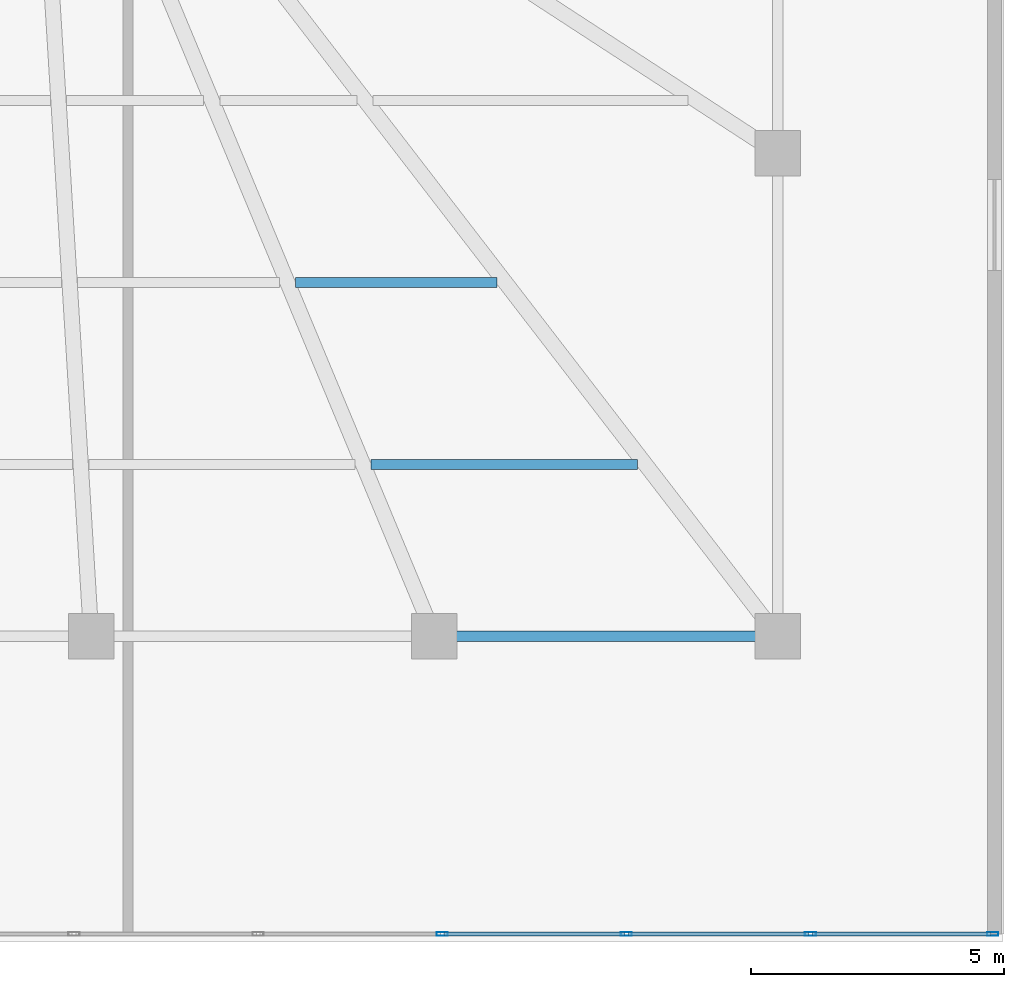
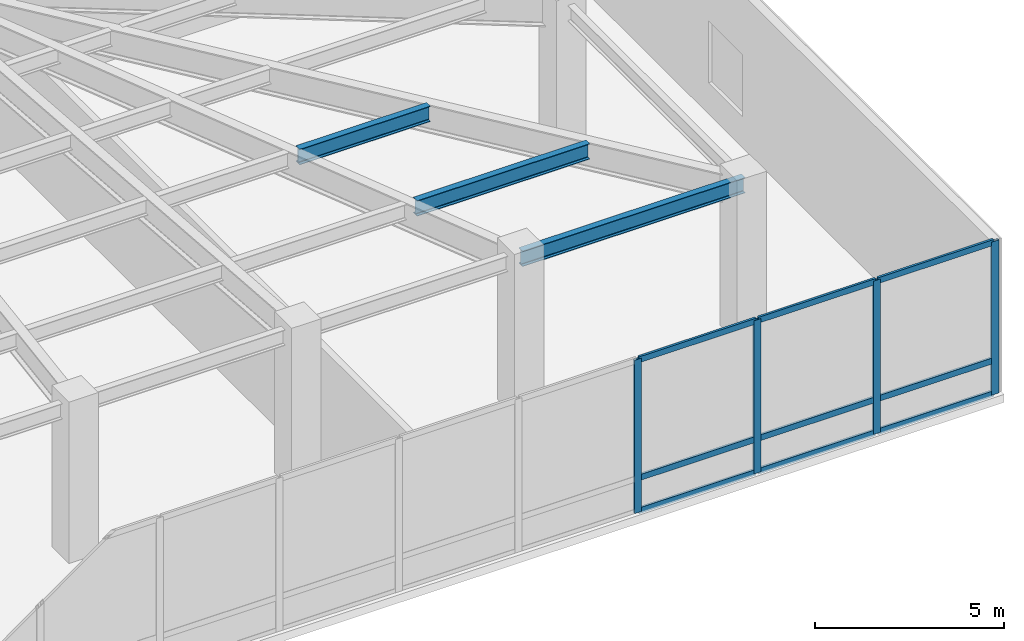
# One storey, part 10 of 19: 13 members, 3 beams, 1 element without a shape of its own.
"""IFC4 building model written with IfcOpenShell, lengths in metres."""

from ifc_helpers import new_model, si_unit, direction, frame, origin, origin_2d, place, context, subcontext, project, spatial, hollow_rectangle, i_section, extrude, material, material_profile, profile_set, type_object, element, aggregate, save


model = new_model("IFC4")

# Units and contexts
model_context = context("Model", 3, precision=1e-05, world=origin(), true_north=direction((0.0, 1.0)))
body_context = subcontext(model_context, "Body", "Model", "MODEL_VIEW")
ifc_project = project(units=[si_unit("LENGTHUNIT", "METRE"), si_unit("AREAUNIT", "SQUARE_METRE"), si_unit("VOLUMEUNIT", "CUBIC_METRE"), si_unit("PLANEANGLEUNIT", "RADIAN"), si_unit("MASSUNIT", "GRAM", prefix="KILO")], contexts=[model_context])

# Site, building, storey
site_placement = place(None, origin())
site = spatial("IfcSite", under=ifc_project, at=site_placement, CompositionType="ELEMENT")
building_placement = place(site_placement, origin())
building = spatial("IfcBuilding", under=site, at=building_placement, Name="Yelkora Congress Tower", CompositionType="ELEMENT")
storey_placement = place(building_placement, frame((0.0, 0.0, 5.199951171875)))
storey = spatial("IfcBuildingStorey", under=building, at=storey_placement, Name="L01", CompositionType="ELEMENT", Elevation=5.199951171875)

# Beams
ifc_material_1 = material(Name="Steel S355J2", Category="steel")
ifc_material_profile_1 = material_profile(ifc_material_1, i_section(OverallWidth=0.199951171875, OverallDepth=0.5, WebThickness=0.01025390625, FlangeThickness=0.01611328125, FilletRadius=0.02099609375, at=origin_2d()), Name="IPE 500")
ifc_profile_set_1 = profile_set([ifc_material_profile_1], Name="Steel S355J2")
beam_type_1 = type_object("IfcBeamType", Name="BM-JOIST-IPE500", PredefinedType="JOIST", material=ifc_profile_set_1)
beam_1_placement = place(storey_placement, frame((64.306640625, 9.449951171875, 4.68994140625), z_axis=(1.0, 0.0, 0.0), x_axis=(0.0, 1.0, 0.0)))
element("IfcBeam", 1, at=beam_1_placement, inside=storey, type_object=beam_type_1, Name="L01 Composite Floor Joist 10", PredefinedType="JOIST", context=body_context, shape_type="SweptSolid", body=[
    extrude(i_section(OverallWidth=0.199951171875, OverallDepth=0.5, WebThickness=0.01025390625, FlangeThickness=0.01611328125, FilletRadius=0.02099609375, at=origin_2d()), origin(), (0.0, 0.0, 1.0), 5.2646484375),
])
beam_2_placement = place(storey_placement, frame((62.810302734375, 13.050048828125, 4.68994140625), z_axis=(1.0, 0.0, 0.0), x_axis=(0.0, 1.0, 0.0)))
element("IfcBeam", 2, at=beam_2_placement, inside=storey, type_object=beam_type_1, Name="L01 Composite Floor Joist 20", PredefinedType="JOIST", context=body_context, shape_type="SweptSolid", body=[
    extrude(i_section(OverallWidth=0.199951171875, OverallDepth=0.5, WebThickness=0.01025390625, FlangeThickness=0.01611328125, FilletRadius=0.02099609375, at=origin_2d()), origin(), (0.0, 0.0, 1.0), 3.988037109375),
])
ifc_material_profile_2 = material_profile(ifc_material_1, i_section(OverallWidth=0.199951171875, OverallDepth=0.5, WebThickness=0.01025390625, FlangeThickness=0.01611328125, FilletRadius=0.02099609375, at=origin_2d()), Name="IPE 500")
ifc_profile_set_2 = profile_set([ifc_material_profile_2], Name="Steel S355J2")
beam_type_2 = type_object("IfcBeamType", Name="BM-SPAN-IPE500B", PredefinedType="BEAM", material=ifc_profile_set_2)
beam_3_placement = place(storey_placement, frame((65.56005859375, 6.050048828125, 4.68994140625), z_axis=(1.0, 0.0, 0.0), x_axis=(0.0, 1.0, 0.0)))
element("IfcBeam", 3, at=beam_3_placement, inside=storey, type_object=beam_type_2, Name="L01 Perimeter Beam 11", PredefinedType="BEAM", context=body_context, shape_type="SweptSolid", body=[
    extrude(i_section(OverallWidth=0.199951171875, OverallDepth=0.5, WebThickness=0.01025390625, FlangeThickness=0.01611328125, FilletRadius=0.02099609375, at=origin_2d()), origin(), (0.0, 0.0, 1.0), 6.7900390625),
])

# Curtain wall, members
ifc_material_2 = material(Name="Anodised aluminium and insulated glass", Category="aluminium")
curtain_wall_type = type_object("IfcCurtainWallType", Name="CW-SYS-POD", PredefinedType="NOTDEFINED", material=ifc_material_2)
curtain_wall_placement = place(storey_placement, origin())
curtain_wall = element("IfcCurtainWall", 4, at=curtain_wall_placement, inside=storey, type_object=curtain_wall_type, Name="L01 Podium South Curtain Wall", PredefinedType="NOTDEFINED")
ifc_material_3 = material(Name="Anodised aluminium 6063-T6", Category="aluminium")
ifc_material_profile_3 = material_profile(ifc_material_3, hollow_rectangle(XDim=0.074951171875, YDim=0.219970703125, WallThickness=0.0048828125, at=origin_2d()), Name="ALU 75x220x5")
ifc_profile_set_3 = profile_set([ifc_material_profile_3], Name="Anodised aluminium 6063-T6")
member_type_1 = type_object("IfcMemberType", Name="MEM-ML-POD", PredefinedType="MULLION", material=ifc_profile_set_3)
member_1_placement = place(storey_placement, frame((76.6025390625, 0.159912109375, 0.0), z_axis=(0.0, 0.0, 1.0), x_axis=(0.0, -1.0, 0.0)))
member_1 = element("IfcMember", 5, at=member_1_placement, type_object=member_type_1, Name="CW-POD mullion 1", PredefinedType="MULLION", context=body_context, shape_type="SweptSolid", body=[
    extrude(hollow_rectangle(XDim=0.074951171875, YDim=0.219970703125, WallThickness=0.0048828125, at=origin_2d()), origin(), (0.0, 0.0, 1.0), 4.93994140625),
])
member_2_placement = place(storey_placement, frame((72.998046875, 0.159912109375, 0.0), z_axis=(0.0, 0.0, 1.0), x_axis=(0.0, -1.0, 0.0)))
member_2 = element("IfcMember", 6, at=member_2_placement, type_object=member_type_1, Name="CW-POD mullion 2", PredefinedType="MULLION", context=body_context, shape_type="SweptSolid", body=[
    extrude(hollow_rectangle(XDim=0.074951171875, YDim=0.219970703125, WallThickness=0.0048828125, at=origin_2d()), origin(), (0.0, 0.0, 1.0), 4.93994140625),
])
member_3_placement = place(storey_placement, frame((69.356201171875, 0.159912109375, 0.0), z_axis=(0.0, 0.0, 1.0), x_axis=(0.0, -1.0, 0.0)))
member_3 = element("IfcMember", 7, at=member_3_placement, type_object=member_type_1, Name="CW-POD mullion 3", PredefinedType="MULLION", context=body_context, shape_type="SweptSolid", body=[
    extrude(hollow_rectangle(XDim=0.074951171875, YDim=0.219970703125, WallThickness=0.0048828125, at=origin_2d()), origin(), (0.0, 0.0, 1.0), 4.93994140625),
])
member_4_placement = place(storey_placement, frame((65.71435546875, 0.159912109375, 0.0), z_axis=(0.0, 0.0, 1.0), x_axis=(0.0, -1.0, 0.0)))
member_4 = element("IfcMember", 8, at=member_4_placement, type_object=member_type_1, Name="CW-POD mullion 4", PredefinedType="MULLION", context=body_context, shape_type="SweptSolid", body=[
    extrude(hollow_rectangle(XDim=0.074951171875, YDim=0.219970703125, WallThickness=0.0048828125, at=origin_2d()), origin(), (0.0, 0.0, 1.0), 4.93994140625),
])
ifc_material_profile_4 = material_profile(ifc_material_3, hollow_rectangle(XDim=0.070068359375, YDim=0.18994140625, WallThickness=0.00390625, at=origin_2d()), Name="ALU 70x190x4")
ifc_profile_set_4 = profile_set([ifc_material_profile_4], Name="Anodised aluminium 6063-T6")
member_type_2 = type_object("IfcMemberType", Name="MEM-TR-POD", PredefinedType="USERDEFINED", material=ifc_profile_set_4)
member_5_placement = place(storey_placement, frame((76.56494140625, 0.159912109375, 0.03515625), z_axis=(-1.0, 0.0, 0.0), x_axis=(0.0, -1.0, 0.0)))
member_5 = element("IfcMember", 9, at=member_5_placement, type_object=member_type_2, Name="CW-POD transom 1.1", ObjectType="TRANSOM", PredefinedType="USERDEFINED", context=body_context, shape_type="SweptSolid", body=[
    extrude(hollow_rectangle(XDim=0.070068359375, YDim=0.18994140625, WallThickness=0.00390625, at=origin_2d()), origin(), (0.0, 0.0, 1.0), 3.529296875),
])
member_6_placement = place(storey_placement, frame((76.56494140625, 0.159912109375, 1.10009765625), z_axis=(-1.0, 0.0, 0.0), x_axis=(0.0, -1.0, 0.0)))
member_6 = element("IfcMember", 10, at=member_6_placement, type_object=member_type_2, Name="CW-POD transom 1.2", ObjectType="TRANSOM", PredefinedType="USERDEFINED", context=body_context, shape_type="SweptSolid", body=[
    extrude(hollow_rectangle(XDim=0.070068359375, YDim=0.18994140625, WallThickness=0.00390625, at=origin_2d()), origin(), (0.0, 0.0, 1.0), 3.529296875),
])
member_7_placement = place(storey_placement, frame((76.56494140625, 0.159912109375, 4.905029296875), z_axis=(-1.0, 0.0, 0.0), x_axis=(0.0, -1.0, 0.0)))
member_7 = element("IfcMember", 11, at=member_7_placement, type_object=member_type_2, Name="CW-POD transom 1.3", ObjectType="TRANSOM", PredefinedType="USERDEFINED", context=body_context, shape_type="SweptSolid", body=[
    extrude(hollow_rectangle(XDim=0.070068359375, YDim=0.18994140625, WallThickness=0.00390625, at=origin_2d()), origin(), (0.0, 0.0, 1.0), 3.529296875),
])
member_8_placement = place(storey_placement, frame((72.960693359375, 0.159912109375, 0.03515625), z_axis=(-1.0, 0.0, 0.0), x_axis=(0.0, -1.0, 0.0)))
member_8 = element("IfcMember", 12, at=member_8_placement, type_object=member_type_2, Name="CW-POD transom 2.1", ObjectType="TRANSOM", PredefinedType="USERDEFINED", context=body_context, shape_type="SweptSolid", body=[
    extrude(hollow_rectangle(XDim=0.070068359375, YDim=0.18994140625, WallThickness=0.00390625, at=origin_2d()), origin(), (0.0, 0.0, 1.0), 3.56689453125),
])
member_9_placement = place(storey_placement, frame((72.960693359375, 0.159912109375, 1.10009765625), z_axis=(-1.0, 0.0, 0.0), x_axis=(0.0, -1.0, 0.0)))
member_9 = element("IfcMember", 13, at=member_9_placement, type_object=member_type_2, Name="CW-POD transom 2.2", ObjectType="TRANSOM", PredefinedType="USERDEFINED", context=body_context, shape_type="SweptSolid", body=[
    extrude(hollow_rectangle(XDim=0.070068359375, YDim=0.18994140625, WallThickness=0.00390625, at=origin_2d()), origin(), (0.0, 0.0, 1.0), 3.56689453125),
])
member_10_placement = place(storey_placement, frame((72.960693359375, 0.159912109375, 4.905029296875), z_axis=(-1.0, 0.0, 0.0), x_axis=(0.0, -1.0, 0.0)))
member_10 = element("IfcMember", 14, at=member_10_placement, type_object=member_type_2, Name="CW-POD transom 2.3", ObjectType="TRANSOM", PredefinedType="USERDEFINED", context=body_context, shape_type="SweptSolid", body=[
    extrude(hollow_rectangle(XDim=0.070068359375, YDim=0.18994140625, WallThickness=0.00390625, at=origin_2d()), origin(), (0.0, 0.0, 1.0), 3.56689453125),
])
member_11_placement = place(storey_placement, frame((69.318603515625, 0.159912109375, 0.03515625), z_axis=(-1.0, 0.0, 0.0), x_axis=(0.0, -1.0, 0.0)))
member_11 = element("IfcMember", 15, at=member_11_placement, type_object=member_type_2, Name="CW-POD transom 3.1", ObjectType="TRANSOM", PredefinedType="USERDEFINED", context=body_context, shape_type="SweptSolid", body=[
    extrude(hollow_rectangle(XDim=0.070068359375, YDim=0.18994140625, WallThickness=0.00390625, at=origin_2d()), origin(), (0.0, 0.0, 1.0), 3.56689453125),
])
member_12_placement = place(storey_placement, frame((69.318603515625, 0.159912109375, 1.10009765625), z_axis=(-1.0, 0.0, 0.0), x_axis=(0.0, -1.0, 0.0)))
member_12 = element("IfcMember", 16, at=member_12_placement, type_object=member_type_2, Name="CW-POD transom 3.2", ObjectType="TRANSOM", PredefinedType="USERDEFINED", context=body_context, shape_type="SweptSolid", body=[
    extrude(hollow_rectangle(XDim=0.070068359375, YDim=0.18994140625, WallThickness=0.00390625, at=origin_2d()), origin(), (0.0, 0.0, 1.0), 3.56689453125),
])
member_13_placement = place(storey_placement, frame((69.318603515625, 0.159912109375, 4.905029296875), z_axis=(-1.0, 0.0, 0.0), x_axis=(0.0, -1.0, 0.0)))
member_13 = element("IfcMember", 17, at=member_13_placement, type_object=member_type_2, Name="CW-POD transom 3.3", ObjectType="TRANSOM", PredefinedType="USERDEFINED", context=body_context, shape_type="SweptSolid", body=[
    extrude(hollow_rectangle(XDim=0.070068359375, YDim=0.18994140625, WallThickness=0.00390625, at=origin_2d()), origin(), (0.0, 0.0, 1.0), 3.56689453125),
])
aggregate(curtain_wall, [member_1, member_2, member_3, member_4, member_5, member_6, member_7, member_8, member_9, member_10, member_11, member_12, member_13])

save(model, "model.ifc")
